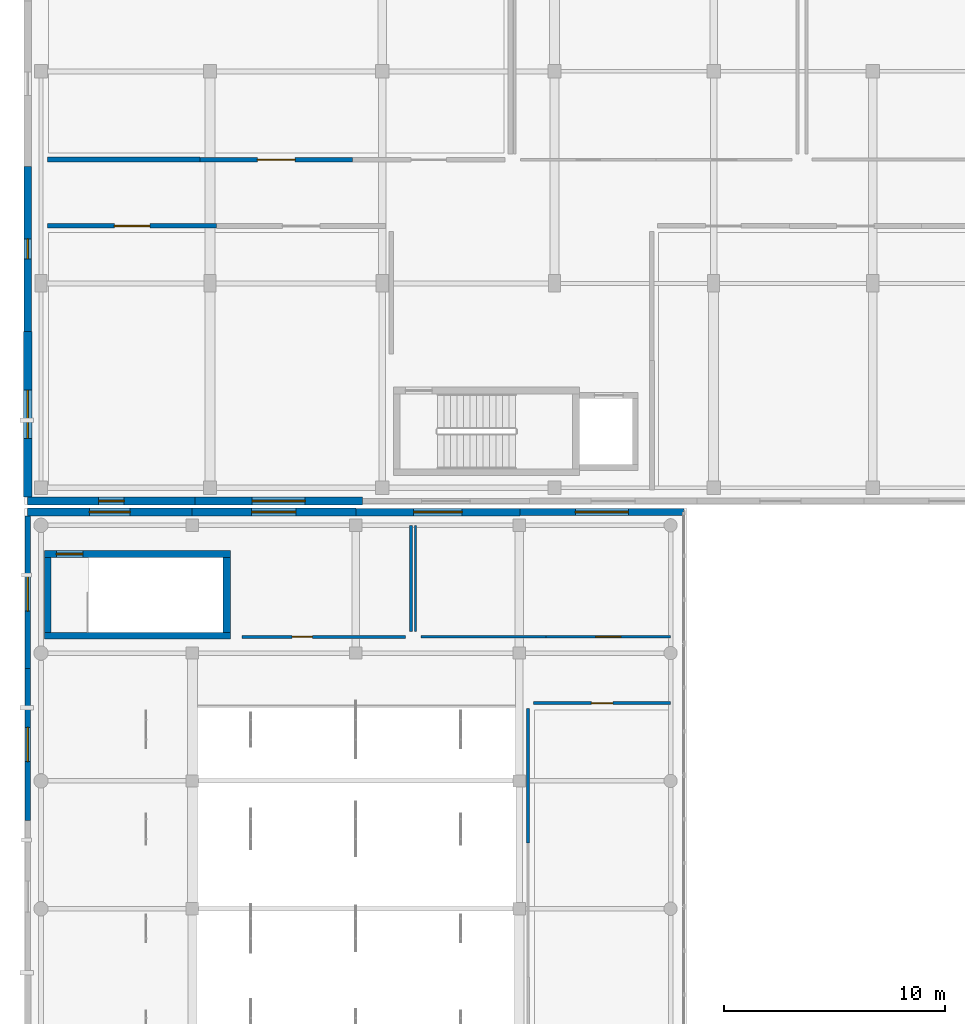
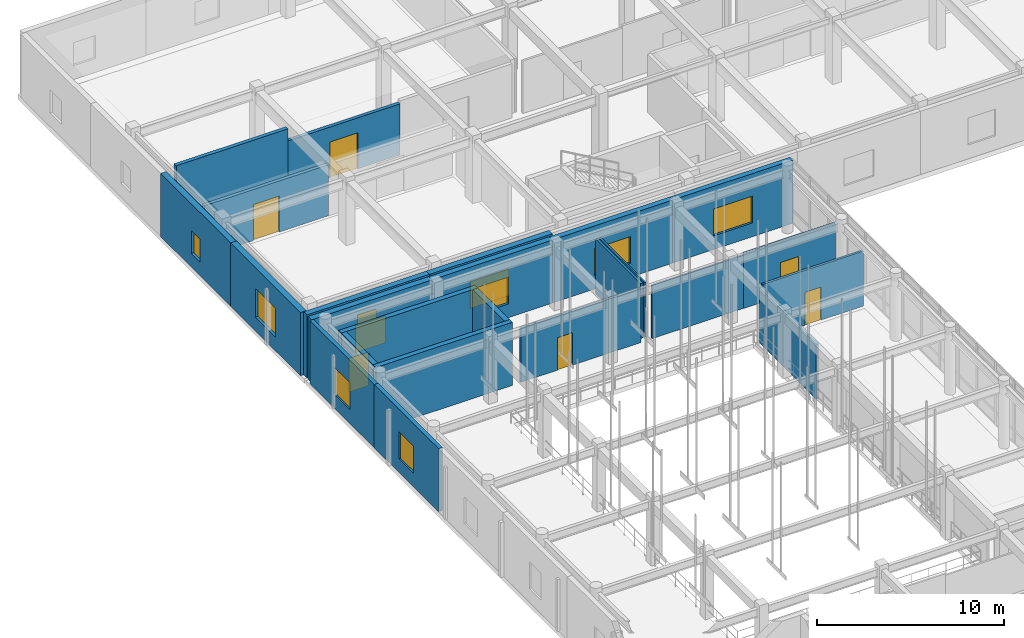
# One storey, part 122 of 142: 24 walls, 10 windows, 6 doors, 16 openings.
"""IFC4 building model written with IfcOpenShell, lengths in metres."""

from ifc_helpers import new_model, si_unit, direction, frame, frame_2d, origin, place, context, subcontext, project, spatial, rectangle, extrude, material, layer, layer_set, type_object, element, fill, save


model = new_model("IFC4")

# Units and contexts
model_context = context("Model", 3, precision=1e-05, world=origin(), true_north=direction((0.0, 1.0)))
body_context = subcontext(model_context, "Body", "Model", "MODEL_VIEW")
ifc_project = project(units=[si_unit("LENGTHUNIT", "METRE"), si_unit("AREAUNIT", "SQUARE_METRE"), si_unit("VOLUMEUNIT", "CUBIC_METRE"), si_unit("PLANEANGLEUNIT", "RADIAN"), si_unit("MASSUNIT", "GRAM", prefix="KILO")], contexts=[model_context])

# Site, building, storey
site_placement = place(None, origin())
site = spatial("IfcSite", under=ifc_project, at=site_placement, CompositionType="ELEMENT")
building_placement = place(site_placement, origin())
building = spatial("IfcBuilding", under=site, at=building_placement, Name="Valcora Specialist Clinic", CompositionType="ELEMENT")
storey_placement = place(building_placement, frame((0.0, 0.0, 5.10009765625)))
storey = spatial("IfcBuildingStorey", under=building, at=storey_placement, Name="L01", CompositionType="ELEMENT", Elevation=5.10009765625)

# Wall
ifc_material_1 = material(Name="Concrete C40/50", Category="concrete")
ifc_layer_1 = layer(ifc_material_1, 0.300048828125)
ifc_layer_set_1 = layer_set([ifc_layer_1], Name="Concrete C40/50")
wall_type_1 = type_object("IfcWallType", Name="TY-WL-CR300", PredefinedType="SHEAR", material=ifc_layer_set_1)
wall_1_placement = place(storey_placement, frame((0.89990234375, 74.25, 0.0), z_axis=(0.0, 0.0, 1.0), x_axis=(1.0, 0.0, 0.0)))
element("IfcWall", 1, at=wall_1_placement, inside=storey, type_object=wall_type_1, Name="Core shear wall WL-CR-C-V1B-L01-S", PredefinedType="SHEAR", context=body_context, shape_type="SweptSolid", body=[
    extrude(rectangle(XDim=8.420166015625, YDim=0.300048828125, at=frame_2d((4.2099609375, 0.0))), origin(), (0.0, 0.0, 1.0), 4.119873046875),
])

# Wall, opening, door
wall_2_placement = place(storey_placement, frame((0.89990234375, 77.949951171875, 0.0), z_axis=(0.0, 0.0, 1.0), x_axis=(1.0, 0.0, 0.0)))
wall_2 = element("IfcWall", 2, at=wall_2_placement, inside=storey, type_object=wall_type_1, Name="Core shear wall WL-CR-C-V1B-L01-N", PredefinedType="SHEAR", context=body_context, shape_type="SweptSolid", body=[
    extrude(rectangle(XDim=8.420166015625, YDim=0.300048828125, at=frame_2d((4.2099609375, 0.0))), origin(), (0.0, 0.0, 1.0), 4.119873046875),
])
opening_1_placement = place(wall_2_placement, frame((0.550048828125, 0.0, 0.0)))
opening_1 = element("IfcOpeningElement", 3, at=opening_1_placement, cuts=wall_2, Name="Opening DR-FD-120", PredefinedType="OPENING", context=body_context, shape_type="SweptSolid", body=[
    extrude(rectangle(XDim=1.199951171875, YDim=2.199951171875, at=frame_2d((0.60009765625, 1.10009765625))), frame((0.0, 0.159912109375, 0.0), z_axis=(0.0, -1.0, 0.0), x_axis=(1.0, 0.0, 0.0)), (0.0, 0.0, 1.0), 0.320068359375),
])
ifc_material_2 = material(Name="Galvanized Hollow Metal Door Steel ASTM A653", Category="steel")
door_type_1 = type_object("IfcDoorType", Name="TY-DR-ST120", OperationType="NOTDEFINED", PredefinedType="DOOR", material=ifc_material_2)
door_1_placement = place(opening_1_placement, origin())
door_1 = element("IfcDoor", 4, at=door_1_placement, inside=storey, type_object=door_type_1, Name="Exit stair fire door C-V1B L01", OperationType="SINGLE_SWING_RIGHT", OverallHeight=2.199951171875, OverallWidth=1.199951171875, PredefinedType="DOOR", context=body_context, shape_type="SweptSolid", body=[
    extrude(rectangle(XDim=1.199951171875, YDim=2.199951171875, at=frame_2d((0.60009765625, 1.10009765625))), frame((0.0, 0.02490234375, 0.0), z_axis=(0.0, -1.0, 0.0), x_axis=(1.0, 0.0, 0.0)), (0.0, 0.0, 1.0), 0.050048828125),
])
fill(opening_1, door_1)

# Walls
wall_3_placement = place(storey_placement, frame((1.050048828125, 74.402099609375, 0.0), z_axis=(0.0, 0.0, 1.0), x_axis=(0.0, 1.0, 0.0)))
element("IfcWall", 5, at=wall_3_placement, inside=storey, type_object=wall_type_1, Name="Core shear wall WL-CR-C-V1B-L01-W", PredefinedType="SHEAR", context=body_context, shape_type="SweptSolid", body=[
    extrude(rectangle(XDim=3.39599609375, YDim=0.300048828125, at=frame_2d((1.697998046875, 0.0))), origin(), (0.0, 0.0, 1.0), 4.119873046875),
])
ifc_layer_2 = layer(ifc_material_1, 0.320068359375)
ifc_layer_set_2 = layer_set([ifc_layer_2], Name="Concrete C40/50")
wall_type_2 = type_object("IfcWallType", Name="TY-WL-CR320", PredefinedType="SHEAR", material=ifc_layer_set_2)
wall_4_placement = place(storey_placement, frame((9.159912109375, 74.402099609375, 0.0), z_axis=(0.0, 0.0, 1.0), x_axis=(0.0, 1.0, 0.0)))
element("IfcWall", 6, at=wall_4_placement, inside=storey, type_object=wall_type_2, Name="Core shear wall WL-CR-C-V1B-L01-E", PredefinedType="SHEAR", context=body_context, shape_type="SweptSolid", body=[
    extrude(rectangle(XDim=3.39599609375, YDim=0.320068359375, at=frame_2d((1.697998046875, 0.0))), origin(), (0.0, 0.0, 1.0), 4.119873046875),
])

# Wall, opening, window
ifc_material_3 = material(Name="Extruded Jalisco Clay Brick Masonry", Category="masonry")
ifc_layer_3 = layer(ifc_material_3, 0.235107421875)
ifc_layer_set_3 = layer_set([ifc_layer_3], Name="Extruded Jalisco Clay Brick Masonry")
wall_type_3 = type_object("IfcWallType", Name="TY-WL-EW235", PredefinedType="SOLIDWALL", material=ifc_layer_set_3)
wall_5_placement = place(storey_placement, frame((0.14990234375, 72.773193359375, 0.0), z_axis=(0.0, 0.0, 1.0), x_axis=(0.0, 1.0, 0.0)))
wall_5 = element("IfcWall", 7, at=wall_5_placement, inside=storey, type_object=wall_type_3, Name="Exterior wall WL-EXT-L01-0030", PredefinedType="SOLIDWALL", context=body_context, shape_type="SweptSolid", body=[
    extrude(rectangle(XDim=6.88671875, YDim=0.235107421875, at=frame_2d((3.443359375, 0.0))), origin(), (0.0, 0.0, 1.0), 4.119873046875),
])
opening_2_placement = place(wall_5_placement, frame((2.593017578125, 0.0, 0.89990234375)))
opening_2 = element("IfcOpeningElement", 8, at=opening_2_placement, cuts=wall_5, Name="Opening WN-16", PredefinedType="OPENING", context=body_context, shape_type="SweptSolid", body=[
    extrude(rectangle(XDim=1.699951171875, YDim=1.75, at=frame_2d((0.85009765625, 0.875))), frame((0.0, 0.12744140625, 0.0), z_axis=(0.0, -1.0, 0.0), x_axis=(1.0, 0.0, 0.0)), (0.0, 0.0, 1.0), 0.255126953125),
])
ifc_material_4 = material(Name="Low-E Laminated Insulating Glass", Category="glass")
window_type_1 = type_object("IfcWindowType", Name="TY-WN-16", PartitioningType="SINGLE_PANEL", PredefinedType="WINDOW", material=ifc_material_4)
window_1_placement = place(opening_2_placement, origin())
window_1 = element("IfcWindow", 9, at=window_1_placement, inside=storey, type_object=window_type_1, Name="Facade window WN-L01-0016", OverallHeight=1.75, OverallWidth=1.699951171875, PartitioningType="SINGLE_PANEL", PredefinedType="WINDOW", context=body_context, shape_type="SweptSolid", body=[
    extrude(rectangle(XDim=1.699951171875, YDim=1.75, at=frame_2d((0.85009765625, 0.875))), frame((0.0, 0.030029296875, 0.0), z_axis=(0.0, -1.0, 0.0), x_axis=(1.0, 0.0, 0.0)), (0.0, 0.0, 1.0), 0.06005859375),
])
fill(opening_2, window_1)

ifc_layer_4 = layer(ifc_material_3, 0.25)
ifc_layer_set_4 = layer_set([ifc_layer_4], Name="Extruded Jalisco Clay Brick Masonry")
wall_type_4 = type_object("IfcWallType", Name="TY-WL-EW250", PredefinedType="SOLIDWALL", material=ifc_layer_set_4)
wall_6_placement = place(storey_placement, frame((0.14990234375, 65.88671875, 0.0), z_axis=(0.0, 0.0, 1.0), x_axis=(0.0, 1.0, 0.0)))
wall_6 = element("IfcWall", 10, at=wall_6_placement, inside=storey, type_object=wall_type_4, Name="Exterior wall WL-EXT-L01-0029", PredefinedType="SOLIDWALL", context=body_context, shape_type="SweptSolid", body=[
    extrude(rectangle(XDim=6.886474609375, YDim=0.25, at=frame_2d((3.443359375, 0.0))), origin(), (0.0, 0.0, 1.0), 4.119873046875),
])
opening_3_placement = place(wall_6_placement, frame((2.66796875, 0.0, 0.89990234375)))
opening_3 = element("IfcOpeningElement", 11, at=opening_3_placement, cuts=wall_6, Name="Opening WN-15", PredefinedType="OPENING", context=body_context, shape_type="SweptSolid", body=[
    extrude(rectangle(XDim=1.550048828125, YDim=1.75, at=frame_2d((0.77490234375, 0.875))), frame((0.0, 0.135009765625, 0.0), z_axis=(0.0, -1.0, 0.0), x_axis=(1.0, 0.0, 0.0)), (0.0, 0.0, 1.0), 0.27001953125),
])
window_type_2 = type_object("IfcWindowType", Name="TY-WN-15", PartitioningType="SINGLE_PANEL", PredefinedType="WINDOW", material=ifc_material_4)
window_2_placement = place(opening_3_placement, origin())
window_2 = element("IfcWindow", 12, at=window_2_placement, inside=storey, type_object=window_type_2, Name="Facade window WN-L01-0015", OverallHeight=1.75, OverallWidth=1.550048828125, PartitioningType="SINGLE_PANEL", PredefinedType="WINDOW", context=body_context, shape_type="SweptSolid", body=[
    extrude(rectangle(XDim=1.550048828125, YDim=1.75, at=frame_2d((0.77490234375, 0.875))), frame((0.0, 0.030029296875, 0.0), z_axis=(0.0, -1.0, 0.0), x_axis=(1.0, 0.0, 0.0)), (0.0, 0.0, 1.0), 0.06005859375),
])
fill(opening_3, window_2)

ifc_layer_5 = layer(ifc_material_3, 0.324951171875)
ifc_layer_set_5 = layer_set([ifc_layer_5], Name="Extruded Jalisco Clay Brick Masonry")
wall_type_5 = type_object("IfcWallType", Name="TY-WL-EW325", PredefinedType="SOLIDWALL", material=ifc_layer_set_5)
wall_7_placement = place(storey_placement, frame((22.425048828125, 79.85009765625, 0.0), z_axis=(0.0, 0.0, 1.0), x_axis=(1.0, 0.0, 0.0)))
wall_7 = element("IfcWall", 13, at=wall_7_placement, inside=storey, type_object=wall_type_5, Name="Exterior wall WL-EXT-L01-0034", PredefinedType="SOLIDWALL", context=body_context, shape_type="SweptSolid", body=[
    extrude(rectangle(XDim=7.425048828125, YDim=0.324951171875, at=frame_2d((3.71240234375, 0.0))), origin(), (0.0, 0.0, 1.0), 4.119873046875),
])
opening_4_placement = place(wall_7_placement, frame((2.512939453125, 0.0, 0.89990234375)))
opening_4 = element("IfcOpeningElement", 14, at=opening_4_placement, cuts=wall_7, Name="Opening WN-20", PredefinedType="OPENING", context=body_context, shape_type="SweptSolid", body=[
    extrude(rectangle(XDim=2.39990234375, YDim=1.75, at=frame_2d((1.199951171875, 0.875))), frame((0.0, 0.17236328125, 0.0), z_axis=(0.0, -1.0, 0.0), x_axis=(1.0, 0.0, 0.0)), (0.0, 0.0, 1.0), 0.344970703125),
])
window_type_3 = type_object("IfcWindowType", Name="TY-WN-20", PartitioningType="SINGLE_PANEL", PredefinedType="WINDOW", material=ifc_material_4)
window_3_placement = place(opening_4_placement, origin())
window_3 = element("IfcWindow", 15, at=window_3_placement, inside=storey, type_object=window_type_3, Name="Facade window WN-L01-0020", OverallHeight=1.75, OverallWidth=2.39990234375, PartitioningType="SINGLE_PANEL", PredefinedType="WINDOW", context=body_context, shape_type="SweptSolid", body=[
    extrude(rectangle(XDim=2.39990234375, YDim=1.75, at=frame_2d((1.199951171875, 0.875))), frame((0.0, 0.030029296875, 0.0), z_axis=(0.0, -1.0, 0.0), x_axis=(1.0, 0.0, 0.0)), (0.0, 0.0, 1.0), 0.06005859375),
])
fill(opening_4, window_3)

ifc_layer_6 = layer(ifc_material_3, 0.340087890625)
ifc_layer_set_6 = layer_set([ifc_layer_6], Name="Extruded Jalisco Clay Brick Masonry")
wall_type_6 = type_object("IfcWallType", Name="TY-WL-EW340", PredefinedType="SOLIDWALL", material=ifc_layer_set_6)
wall_8_placement = place(storey_placement, frame((15.0, 79.85009765625, 0.0), z_axis=(0.0, 0.0, 1.0), x_axis=(1.0, 0.0, 0.0)))
wall_8 = element("IfcWall", 16, at=wall_8_placement, inside=storey, type_object=wall_type_6, Name="Exterior wall WL-EXT-L01-0033", PredefinedType="SOLIDWALL", context=body_context, shape_type="SweptSolid", body=[
    extrude(rectangle(XDim=7.425048828125, YDim=0.340087890625, at=frame_2d((3.71240234375, 0.0))), origin(), (0.0, 0.0, 1.0), 4.119873046875),
])
opening_5_placement = place(wall_8_placement, frame((2.613037109375, 0.0, 0.89990234375)))
opening_5 = element("IfcOpeningElement", 17, at=opening_5_placement, cuts=wall_8, Name="Opening WN-19", PredefinedType="OPENING", context=body_context, shape_type="SweptSolid", body=[
    extrude(rectangle(XDim=2.199951171875, YDim=1.75, at=frame_2d((1.10009765625, 0.875))), frame((0.0, 0.179931640625, 0.0), z_axis=(0.0, -1.0, 0.0), x_axis=(1.0, 0.0, 0.0)), (0.0, 0.0, 1.0), 0.360107421875),
])
window_type_4 = type_object("IfcWindowType", Name="TY-WN-19", PartitioningType="SINGLE_PANEL", PredefinedType="WINDOW", material=ifc_material_4)
window_4_placement = place(opening_5_placement, origin())
window_4 = element("IfcWindow", 18, at=window_4_placement, inside=storey, type_object=window_type_4, Name="Facade window WN-L01-0019", OverallHeight=1.75, OverallWidth=2.199951171875, PartitioningType="SINGLE_PANEL", PredefinedType="WINDOW", context=body_context, shape_type="SweptSolid", body=[
    extrude(rectangle(XDim=2.199951171875, YDim=1.75, at=frame_2d((1.10009765625, 0.875))), frame((0.0, 0.030029296875, 0.0), z_axis=(0.0, -1.0, 0.0), x_axis=(1.0, 0.0, 0.0)), (0.0, 0.0, 1.0), 0.06005859375),
])
fill(opening_5, window_4)

ifc_layer_7 = layer(ifc_material_3, 0.35498046875)
ifc_layer_set_7 = layer_set([ifc_layer_7], Name="Extruded Jalisco Clay Brick Masonry")
wall_type_7 = type_object("IfcWallType", Name="TY-WL-EW355", PredefinedType="SOLIDWALL", material=ifc_layer_set_7)
wall_9_placement = place(storey_placement, frame((7.574951171875, 79.85009765625, 0.0), z_axis=(0.0, 0.0, 1.0), x_axis=(1.0, 0.0, 0.0)))
wall_9 = element("IfcWall", 19, at=wall_9_placement, inside=storey, type_object=wall_type_7, Name="Exterior wall WL-EXT-L01-0032", PredefinedType="SOLIDWALL", context=body_context, shape_type="SweptSolid", body=[
    extrude(rectangle(XDim=7.425048828125, YDim=0.35498046875, at=frame_2d((3.71240234375, 0.0))), origin(), (0.0, 0.0, 1.0), 4.119873046875),
])
opening_6_placement = place(wall_9_placement, frame((2.7119140625, 0.0, 0.89990234375)))
opening_6 = element("IfcOpeningElement", 20, at=opening_6_placement, cuts=wall_9, Name="Opening WN-18", PredefinedType="OPENING", context=body_context, shape_type="SweptSolid", body=[
    extrude(rectangle(XDim=2.0, YDim=1.75, at=frame_2d((1.0, 0.875))), frame((0.0, 0.1875, 0.0), z_axis=(0.0, -1.0, 0.0), x_axis=(1.0, 0.0, 0.0)), (0.0, 0.0, 1.0), 0.375),
])
window_type_5 = type_object("IfcWindowType", Name="TY-WN-18", PartitioningType="SINGLE_PANEL", PredefinedType="WINDOW", material=ifc_material_4)
window_5_placement = place(opening_6_placement, origin())
window_5 = element("IfcWindow", 21, at=window_5_placement, inside=storey, type_object=window_type_5, Name="Facade window WN-L01-0018", OverallHeight=1.75, OverallWidth=2.0, PartitioningType="SINGLE_PANEL", PredefinedType="WINDOW", context=body_context, shape_type="SweptSolid", body=[
    extrude(rectangle(XDim=2.0, YDim=1.75, at=frame_2d((1.0, 0.875))), frame((0.0, 0.030029296875, 0.0), z_axis=(0.0, -1.0, 0.0), x_axis=(1.0, 0.0, 0.0)), (0.0, 0.0, 1.0), 0.06005859375),
])
fill(opening_6, window_5)

wall_10_placement = place(storey_placement, frame((0.14990234375, 88.02001953125, 0.0), z_axis=(0.0, 0.0, 1.0), x_axis=(0.0, 1.0, 0.0)))
wall_10 = element("IfcWall", 22, at=wall_10_placement, inside=storey, type_object=wall_type_7, Name="Exterior wall WL-EXT-L01-0062", PredefinedType="SOLIDWALL", context=body_context, shape_type="SweptSolid", body=[
    extrude(rectangle(XDim=7.47998046875, YDim=0.35498046875, at=frame_2d((3.739990234375, 0.0))), origin(), (0.0, 0.0, 1.0), 4.1298828125),
])
opening_7_placement = place(wall_10_placement, frame((3.2900390625, 0.0, 0.89990234375)))
opening_7 = element("IfcOpeningElement", 23, at=opening_7_placement, cuts=wall_10, Name="Opening WN-01", PredefinedType="OPENING", context=body_context, shape_type="SweptSolid", body=[
    extrude(rectangle(XDim=0.89990234375, YDim=1.5, at=frame_2d((0.449951171875, 0.75))), frame((0.0, 0.1875, 0.0), z_axis=(0.0, -1.0, 0.0), x_axis=(1.0, 0.0, 0.0)), (0.0, 0.0, 1.0), 0.375),
])
window_type_6 = type_object("IfcWindowType", Name="TY-WN-01", PartitioningType="SINGLE_PANEL", PredefinedType="WINDOW", material=ifc_material_4)
window_6_placement = place(opening_7_placement, origin())
window_6 = element("IfcWindow", 24, at=window_6_placement, inside=storey, type_object=window_type_6, Name="Facade window WN-L01-0043", OverallHeight=1.5, OverallWidth=0.89990234375, PartitioningType="SINGLE_PANEL", PredefinedType="WINDOW", context=body_context, shape_type="SweptSolid", body=[
    extrude(rectangle(XDim=0.89990234375, YDim=1.5, at=frame_2d((0.449951171875, 0.75))), frame((0.0, 0.030029296875, 0.0), z_axis=(0.0, -1.0, 0.0), x_axis=(1.0, 0.0, 0.0)), (0.0, 0.0, 1.0), 0.06005859375),
])
fill(opening_7, window_6)

wall_11_placement = place(storey_placement, frame((7.721435546875, 80.35009765625, 0.0), z_axis=(0.0, 0.0, 1.0), x_axis=(-1.0, 0.0, 0.0)))
wall_11 = element("IfcWall", 25, at=wall_11_placement, inside=storey, type_object=wall_type_7, Name="Exterior wall WL-EXT-L01-0082", PredefinedType="SOLIDWALL", context=body_context, shape_type="SweptSolid", body=[
    extrude(rectangle(XDim=7.571533203125, YDim=0.35498046875, at=frame_2d((3.78564453125, 0.0))), origin(), (0.0, 0.0, 1.0), 4.1298828125),
])
opening_8_placement = place(wall_11_placement, frame((3.2109375, 0.0, 0.89990234375)))
opening_8 = element("IfcOpeningElement", 26, at=opening_8_placement, cuts=wall_11, Name="Opening WN-21", PredefinedType="OPENING", context=body_context, shape_type="SweptSolid", body=[
    extrude(rectangle(XDim=1.14990234375, YDim=2.0, at=frame_2d((0.574951171875, 1.0))), frame((0.0, 0.1875, 0.0), z_axis=(0.0, -1.0, 0.0), x_axis=(1.0, 0.0, 0.0)), (0.0, 0.0, 1.0), 0.375),
])
window_type_7 = type_object("IfcWindowType", Name="TY-WN-21", PartitioningType="SINGLE_PANEL", PredefinedType="WINDOW", material=ifc_material_4)
window_7_placement = place(opening_8_placement, origin())
window_7 = element("IfcWindow", 27, at=window_7_placement, inside=storey, type_object=window_type_7, Name="Facade window WN-L01-0063", OverallHeight=2.0, OverallWidth=1.14990234375, PartitioningType="SINGLE_PANEL", PredefinedType="WINDOW", context=body_context, shape_type="SweptSolid", body=[
    extrude(rectangle(XDim=1.14990234375, YDim=2.0, at=frame_2d((0.574951171875, 1.0))), frame((0.0, 0.030029296875, 0.0), z_axis=(0.0, -1.0, 0.0), x_axis=(1.0, 0.0, 0.0)), (0.0, 0.0, 1.0), 0.06005859375),
])
fill(opening_8, window_7)

ifc_layer_8 = layer(ifc_material_3, 0.3701171875)
ifc_layer_set_8 = layer_set([ifc_layer_8], Name="Extruded Jalisco Clay Brick Masonry")
wall_type_8 = type_object("IfcWallType", Name="TY-WL-EW370", PredefinedType="SOLIDWALL", material=ifc_layer_set_8)
wall_12_placement = place(storey_placement, frame((0.14990234375, 79.85009765625, 0.0), z_axis=(0.0, 0.0, 1.0), x_axis=(1.0, 0.0, 0.0)))
wall_12 = element("IfcWall", 28, at=wall_12_placement, inside=storey, type_object=wall_type_8, Name="Exterior wall WL-EXT-L01-0031", PredefinedType="SOLIDWALL", context=body_context, shape_type="SweptSolid", body=[
    extrude(rectangle(XDim=7.425048828125, YDim=0.3701171875, at=frame_2d((3.71240234375, 0.0))), origin(), (0.0, 0.0, 1.0), 4.119873046875),
])
opening_9_placement = place(wall_12_placement, frame((2.787109375, 0.0, 0.89990234375)))
opening_9 = element("IfcOpeningElement", 29, at=opening_9_placement, cuts=wall_12, Name="Opening WN-17", PredefinedType="OPENING", context=body_context, shape_type="SweptSolid", body=[
    extrude(rectangle(XDim=1.85009765625, YDim=1.75, at=frame_2d((0.925048828125, 0.875))), frame((0.0, 0.195068359375, 0.0), z_axis=(0.0, -1.0, 0.0), x_axis=(1.0, 0.0, 0.0)), (0.0, 0.0, 1.0), 0.39013671875),
])
window_type_8 = type_object("IfcWindowType", Name="TY-WN-17", PartitioningType="SINGLE_PANEL", PredefinedType="WINDOW", material=ifc_material_4)
window_8_placement = place(opening_9_placement, origin())
window_8 = element("IfcWindow", 30, at=window_8_placement, inside=storey, type_object=window_type_8, Name="Facade window WN-L01-0017", OverallHeight=1.75, OverallWidth=1.85009765625, PartitioningType="SINGLE_PANEL", PredefinedType="WINDOW", context=body_context, shape_type="SweptSolid", body=[
    extrude(rectangle(XDim=1.85009765625, YDim=1.75, at=frame_2d((0.925048828125, 0.875))), frame((0.0, 0.030029296875, 0.0), z_axis=(0.0, -1.0, 0.0), x_axis=(1.0, 0.0, 0.0)), (0.0, 0.0, 1.0), 0.06005859375),
])
fill(opening_9, window_8)

wall_13_placement = place(storey_placement, frame((0.14990234375, 80.5400390625, 0.0), z_axis=(0.0, 0.0, 1.0), x_axis=(0.0, 1.0, 0.0)))
wall_13 = element("IfcWall", 31, at=wall_13_placement, inside=storey, type_object=wall_type_8, Name="Exterior wall WL-EXT-L01-0061", PredefinedType="SOLIDWALL", context=body_context, shape_type="SweptSolid", body=[
    extrude(rectangle(XDim=7.47998046875, YDim=0.3701171875, at=frame_2d((3.739990234375, 0.0))), origin(), (0.0, 0.0, 1.0), 4.1298828125),
])
opening_10_placement = place(wall_13_placement, frame((2.64990234375, 0.0, 0.89990234375)))
opening_10 = element("IfcOpeningElement", 32, at=opening_10_placement, cuts=wall_13, Name="Opening WN-42", PredefinedType="OPENING", context=body_context, shape_type="SweptSolid", body=[
    extrude(rectangle(XDim=2.179931640625, YDim=1.8798828125, at=frame_2d((1.08984375, 0.93994140625))), frame((0.0, 0.195068359375, 0.0), z_axis=(0.0, -1.0, 0.0), x_axis=(1.0, 0.0, 0.0)), (0.0, 0.0, 1.0), 0.39013671875),
])
window_type_9 = type_object("IfcWindowType", Name="TY-WN-42", PartitioningType="SINGLE_PANEL", PredefinedType="WINDOW", material=ifc_material_4)
window_9_placement = place(opening_10_placement, origin())
window_9 = element("IfcWindow", 33, at=window_9_placement, inside=storey, type_object=window_type_9, Name="Facade window WN-L01-0042", OverallHeight=1.8798828125, OverallWidth=2.179931640625, PartitioningType="SINGLE_PANEL", PredefinedType="WINDOW", context=body_context, shape_type="SweptSolid", body=[
    extrude(rectangle(XDim=2.179931640625, YDim=1.8798828125, at=frame_2d((1.08984375, 0.93994140625))), frame((0.0, 0.030029296875, 0.0), z_axis=(0.0, -1.0, 0.0), x_axis=(1.0, 0.0, 0.0)), (0.0, 0.0, 1.0), 0.06005859375),
])
fill(opening_10, window_9)

wall_14_placement = place(storey_placement, frame((15.29296875, 80.35009765625, 0.0), z_axis=(0.0, 0.0, 1.0), x_axis=(-1.0, 0.0, 0.0)))
wall_14 = element("IfcWall", 34, at=wall_14_placement, inside=storey, type_object=wall_type_8, Name="Exterior wall WL-EXT-L01-0081", PredefinedType="SOLIDWALL", context=body_context, shape_type="SweptSolid", body=[
    extrude(rectangle(XDim=7.571533203125, YDim=0.3701171875, at=frame_2d((3.78564453125, 0.0))), origin(), (0.0, 0.0, 1.0), 4.1298828125),
])
opening_11_placement = place(wall_14_placement, frame((2.5859375, 0.0, 0.89990234375)))
opening_11 = element("IfcOpeningElement", 35, at=opening_11_placement, cuts=wall_14, Name="Opening WN-20", PredefinedType="OPENING", context=body_context, shape_type="SweptSolid", body=[
    extrude(rectangle(XDim=2.39990234375, YDim=1.75, at=frame_2d((1.199951171875, 0.875))), frame((0.0, 0.195068359375, 0.0), z_axis=(0.0, -1.0, 0.0), x_axis=(1.0, 0.0, 0.0)), (0.0, 0.0, 1.0), 0.39013671875),
])
window_10_placement = place(opening_11_placement, origin())
window_10 = element("IfcWindow", 36, at=window_10_placement, inside=storey, type_object=window_type_3, Name="Facade window WN-L01-0062", OverallHeight=1.75, OverallWidth=2.39990234375, PartitioningType="SINGLE_PANEL", PredefinedType="WINDOW", context=body_context, shape_type="SweptSolid", body=[
    extrude(rectangle(XDim=2.39990234375, YDim=1.75, at=frame_2d((1.199951171875, 0.875))), frame((0.0, 0.030029296875, 0.0), z_axis=(0.0, -1.0, 0.0), x_axis=(1.0, 0.0, 0.0)), (0.0, 0.0, 1.0), 0.06005859375),
])
fill(opening_11, window_10)

# Walls
ifc_material_5 = material(Name="Gypsum Board Partition Assembly")
ifc_layer_9 = layer(ifc_material_5, 0.10498046875)
ifc_layer_set_9 = layer_set([ifc_layer_9], Name="Gypsum Board Partition Assembly")
wall_type_9 = type_object("IfcWallType", Name="TY-WL-PT105", PredefinedType="PARTITIONING", material=ifc_layer_set_9)
wall_15_placement = place(storey_placement, frame((17.699951171875, 74.449951171875, 0.0), z_axis=(0.0, 0.0, 1.0), x_axis=(0.0, 1.0, 0.0)))
element("IfcWall", 37, at=wall_15_placement, inside=storey, type_object=wall_type_9, Name="Interior partition WL-INT-L01-0166", PredefinedType="PARTITIONING", context=body_context, shape_type="SweptSolid", body=[
    extrude(rectangle(XDim=4.800048828125, YDim=0.10498046875, at=frame_2d((2.39990234375, 0.0))), origin(), (0.0, 0.0, 1.0), 3.5830078125),
])
ifc_layer_10 = layer(ifc_material_5, 0.114990234375)
ifc_layer_set_10 = layer_set([ifc_layer_10], Name="Gypsum Board Partition Assembly")
wall_type_10 = type_object("IfcWallType", Name="TY-WL-PT115", PredefinedType="PARTITIONING", material=ifc_layer_set_10)
wall_16_placement = place(storey_placement, frame((23.60009765625, 74.199951171875, 0.0), z_axis=(0.0, 0.0, 1.0), x_axis=(-1.0, 0.0, 0.0)))
element("IfcWall", 38, at=wall_16_placement, inside=storey, type_object=wall_type_10, Name="Interior partition WL-INT-L01-0165", PredefinedType="PARTITIONING", context=body_context, shape_type="SweptSolid", body=[
    extrude(rectangle(XDim=5.650146484375, YDim=0.114990234375, at=frame_2d((2.8251953125, 0.0))), origin(), (0.0, 0.0, 1.0), 3.469970703125),
])

# Wall, opening, door
ifc_layer_11 = layer(ifc_material_5, 0.125)
ifc_layer_set_11 = layer_set([ifc_layer_11], Name="Gypsum Board Partition Assembly")
wall_type_11 = type_object("IfcWallType", Name="TY-WL-PT125", PredefinedType="PARTITIONING", material=ifc_layer_set_11)
wall_17_placement = place(storey_placement, frame((29.25, 74.199951171875, 0.0), z_axis=(0.0, 0.0, 1.0), x_axis=(-1.0, 0.0, 0.0)))
wall_17 = element("IfcWall", 39, at=wall_17_placement, inside=storey, type_object=wall_type_11, Name="Interior partition WL-INT-L01-0164", PredefinedType="PARTITIONING", context=body_context, shape_type="SweptSolid", body=[
    extrude(rectangle(XDim=5.64990234375, YDim=0.125, at=frame_2d((2.824951171875, 0.0))), origin(), (0.0, 0.0, 1.0), 3.5830078125),
])
opening_12_placement = place(wall_17_placement, frame((2.2548828125, 0.0, 0.0)))
opening_12 = element("IfcOpeningElement", 40, at=opening_12_placement, cuts=wall_17, Name="Opening DR-CN-114", PredefinedType="OPENING", context=body_context, shape_type="SweptSolid", body=[
    extrude(rectangle(XDim=1.139892578125, YDim=2.199951171875, at=frame_2d((0.56982421875, 1.10009765625))), frame((0.0, 0.072509765625, 0.0), z_axis=(0.0, -1.0, 0.0), x_axis=(1.0, 0.0, 0.0)), (0.0, 0.0, 1.0), 0.14501953125),
])
ifc_material_6 = material(Name="Glulam Conifer Class 24F", Category="wood")
door_type_2 = type_object("IfcDoorType", Name="TY-DR-CN114", OperationType="NOTDEFINED", PredefinedType="DOOR", material=ifc_material_6)
door_2_placement = place(opening_12_placement, origin())
door_2 = element("IfcDoor", 41, at=door_2_placement, inside=storey, type_object=door_type_2, Name="Interior door DR-INT-L01-0045", OperationType="SINGLE_SWING_LEFT", OverallHeight=2.199951171875, OverallWidth=1.139892578125, PredefinedType="DOOR", context=body_context, shape_type="SweptSolid", body=[
    extrude(rectangle(XDim=1.139892578125, YDim=2.199951171875, at=frame_2d((0.56982421875, 1.10009765625))), frame((0.0, 0.02490234375, 0.0), z_axis=(0.0, -1.0, 0.0), x_axis=(1.0, 0.0, 0.0)), (0.0, 0.0, 1.0), 0.050048828125),
])
fill(opening_12, door_2)

ifc_layer_12 = layer(ifc_material_5, 0.135009765625)
ifc_layer_set_12 = layer_set([ifc_layer_12], Name="Gypsum Board Partition Assembly")
wall_type_12 = type_object("IfcWallType", Name="TY-WL-PT135", PredefinedType="PARTITIONING", material=ifc_layer_set_12)
wall_18_placement = place(storey_placement, frame((23.050048828125, 71.199951171875, 0.0), z_axis=(0.0, 0.0, 1.0), x_axis=(1.0, 0.0, 0.0)))
wall_18 = element("IfcWall", 42, at=wall_18_placement, inside=storey, type_object=wall_type_12, Name="Interior partition WL-INT-L01-0157", PredefinedType="PARTITIONING", context=body_context, shape_type="SweptSolid", body=[
    extrude(rectangle(XDim=6.199951171875, YDim=0.135009765625, at=frame_2d((3.10009765625, 0.0))), origin(), (0.0, 0.0, 1.0), 3.5830078125),
])
opening_13_placement = place(wall_18_placement, frame((2.610107421875, 0.0, 0.0)))
opening_13 = element("IfcOpeningElement", 43, at=opening_13_placement, cuts=wall_18, Name="Opening DR-CN-098", PredefinedType="OPENING", context=body_context, shape_type="SweptSolid", body=[
    extrude(rectangle(XDim=0.97998046875, YDim=2.14990234375, at=frame_2d((0.489990234375, 1.074951171875))), frame((0.0, 0.077392578125, 0.0), z_axis=(0.0, -1.0, 0.0), x_axis=(1.0, 0.0, 0.0)), (0.0, 0.0, 1.0), 0.155029296875),
])
door_type_3 = type_object("IfcDoorType", Name="TY-DR-CN098", OperationType="NOTDEFINED", PredefinedType="DOOR", material=ifc_material_6)
door_3_placement = place(opening_13_placement, origin())
door_3 = element("IfcDoor", 44, at=door_3_placement, inside=storey, type_object=door_type_3, Name="Interior door DR-INT-L01-0042", OperationType="SINGLE_SWING_RIGHT", OverallHeight=2.14990234375, OverallWidth=0.97998046875, PredefinedType="DOOR", context=body_context, shape_type="SweptSolid", body=[
    extrude(rectangle(XDim=0.97998046875, YDim=2.14990234375, at=frame_2d((0.489990234375, 1.074951171875))), frame((0.0, 0.02490234375, 0.0), z_axis=(0.0, -1.0, 0.0), x_axis=(1.0, 0.0, 0.0)), (0.0, 0.0, 1.0), 0.050048828125),
])
fill(opening_13, door_3)

wall_19_placement = place(storey_placement, frame((17.25, 74.199951171875, 0.0), z_axis=(0.0, 0.0, 1.0), x_axis=(-1.0, 0.0, 0.0)))
wall_19 = element("IfcWall", 45, at=wall_19_placement, inside=storey, type_object=wall_type_12, Name="Interior partition WL-INT-L01-0163", PredefinedType="PARTITIONING", context=body_context, shape_type="SweptSolid", body=[
    extrude(rectangle(XDim=7.39990234375, YDim=0.135009765625, at=frame_2d((3.699951171875, 0.0))), origin(), (0.0, 0.0, 1.0), 3.52001953125),
])
opening_14_placement = place(wall_19_placement, frame((4.2119140625, 0.0, 0.0)))
opening_14 = element("IfcOpeningElement", 46, at=opening_14_placement, cuts=wall_19, Name="Opening DR-WC-092", PredefinedType="OPENING", context=body_context, shape_type="SweptSolid", body=[
    extrude(rectangle(XDim=0.919921875, YDim=2.1201171875, at=frame_2d((0.4599609375, 1.06005859375))), frame((0.0, 0.077392578125, 0.0), z_axis=(0.0, -1.0, 0.0), x_axis=(1.0, 0.0, 0.0)), (0.0, 0.0, 1.0), 0.155029296875),
])
door_type_4 = type_object("IfcDoorType", Name="TY-DR-WC092", OperationType="NOTDEFINED", PredefinedType="DOOR", material=ifc_material_6)
door_4_placement = place(opening_14_placement, origin())
door_4 = element("IfcDoor", 47, at=door_4_placement, inside=storey, type_object=door_type_4, Name="Interior door DR-INT-L01-0044", OperationType="SINGLE_SWING_RIGHT", OverallHeight=2.1201171875, OverallWidth=0.919921875, PredefinedType="DOOR", context=body_context, shape_type="SweptSolid", body=[
    extrude(rectangle(XDim=0.919921875, YDim=2.1201171875, at=frame_2d((0.4599609375, 1.06005859375))), frame((0.0, 0.02490234375, 0.0), z_axis=(0.0, -1.0, 0.0), x_axis=(1.0, 0.0, 0.0)), (0.0, 0.0, 1.0), 0.050048828125),
])
fill(opening_14, door_4)

# Walls
ifc_layer_13 = layer(ifc_material_5, 0.14501953125)
ifc_layer_set_13 = layer_set([ifc_layer_13], Name="Gypsum Board Partition Assembly")
wall_type_13 = type_object("IfcWallType", Name="TY-WL-PT145", PredefinedType="PARTITIONING", material=ifc_layer_set_13)
wall_20_placement = place(storey_placement, frame((22.800048828125, 64.875, 0.0), z_axis=(0.0, 0.0, 1.0), x_axis=(0.0, 1.0, 0.0)))
element("IfcWall", 48, at=wall_20_placement, inside=storey, type_object=wall_type_13, Name="Interior partition WL-INT-L01-0156", PredefinedType="PARTITIONING", context=body_context, shape_type="SweptSolid", body=[
    extrude(rectangle(XDim=6.074951171875, YDim=0.14501953125, at=frame_2d((3.03759765625, 0.0))), origin(), (0.0, 0.0, 1.0), 3.5830078125),
])
wall_21_placement = place(storey_placement, frame((17.5, 79.25, 0.0), z_axis=(0.0, 0.0, 1.0), x_axis=(0.0, -1.0, 0.0)))
element("IfcWall", 49, at=wall_21_placement, inside=storey, type_object=wall_type_13, Name="Interior partition WL-INT-L01-0162", PredefinedType="PARTITIONING", context=body_context, shape_type="SweptSolid", body=[
    extrude(rectangle(XDim=4.800048828125, YDim=0.14501953125, at=frame_2d((2.39990234375, 0.0))), origin(), (0.0, 0.0, 1.0), 3.5830078125),
])

# Wall, opening, door
ifc_material_7 = material(Name="Lead-Lined Gypsum Partition Assembly")
ifc_layer_14 = layer(ifc_material_7, 0.205078125)
ifc_layer_set_14 = layer_set([ifc_layer_14], Name="Lead-Lined Gypsum Partition Assembly")
wall_type_14 = type_object("IfcWallType", Name="TY-WL-PT205", PredefinedType="PARTITIONING", material=ifc_layer_set_14)
wall_22_placement = place(storey_placement, frame((1.050048828125, 92.800048828125, 0.0), z_axis=(0.0, 0.0, 1.0), x_axis=(1.0, 0.0, 0.0)))
wall_22 = element("IfcWall", 50, at=wall_22_placement, inside=storey, type_object=wall_type_14, Name="Interior partition WL-INT-L01-0167", PredefinedType="PARTITIONING", context=body_context, shape_type="SweptSolid", body=[
    extrude(rectangle(XDim=7.64990234375, YDim=0.205078125, at=frame_2d((3.824951171875, 0.0))), origin(), (0.0, 0.0, 1.0), 3.329833984375),
])
opening_15_placement = place(wall_22_placement, frame((3.02490234375, 0.0, 0.0)))
opening_15 = element("IfcOpeningElement", 51, at=opening_15_placement, cuts=wall_22, Name="Opening DR-IM-160", PredefinedType="OPENING", context=body_context, shape_type="SweptSolid", body=[
    extrude(rectangle(XDim=1.60009765625, YDim=2.35009765625, at=frame_2d((0.800048828125, 1.175048828125))), frame((0.0, 0.112548828125, 0.0), z_axis=(0.0, -1.0, 0.0), x_axis=(1.0, 0.0, 0.0)), (0.0, 0.0, 1.0), 0.22509765625),
])
door_type_5 = type_object("IfcDoorType", Name="TY-DR-IM160", OperationType="NOTDEFINED", PredefinedType="DOOR", material=ifc_material_7)
door_5_placement = place(opening_15_placement, origin())
door_5 = element("IfcDoor", 52, at=door_5_placement, inside=storey, type_object=door_type_5, Name="Interior door DR-INT-L01-0046", OperationType="SINGLE_SWING_RIGHT", OverallHeight=2.35009765625, OverallWidth=1.60009765625, PredefinedType="DOOR", context=body_context, shape_type="SweptSolid", body=[
    extrude(rectangle(XDim=1.60009765625, YDim=2.35009765625, at=frame_2d((0.800048828125, 1.175048828125))), frame((0.0, 0.02490234375, 0.0), z_axis=(0.0, -1.0, 0.0), x_axis=(1.0, 0.0, 0.0)), (0.0, 0.0, 1.0), 0.050048828125),
])
fill(opening_15, door_5)

wall_23_placement = place(storey_placement, frame((14.85009765625, 95.800048828125, 0.0), z_axis=(0.0, 0.0, 1.0), x_axis=(-1.0, 0.0, 0.0)))
wall_23 = element("IfcWall", 53, at=wall_23_placement, inside=storey, type_object=wall_type_14, Name="Interior partition WL-INT-L01-0179", PredefinedType="PARTITIONING", context=body_context, shape_type="SweptSolid", body=[
    extrude(rectangle(XDim=6.900146484375, YDim=0.205078125, at=frame_2d((3.4501953125, 0.0))), origin(), (0.0, 0.0, 1.0), 3.329833984375),
])
opening_16_placement = place(wall_23_placement, frame((2.60009765625, 0.0, 0.0)))
opening_16 = element("IfcOpeningElement", 54, at=opening_16_placement, cuts=wall_23, Name="Opening DR-IM-170", PredefinedType="OPENING", context=body_context, shape_type="SweptSolid", body=[
    extrude(rectangle(XDim=1.699951171875, YDim=2.35009765625, at=frame_2d((0.85009765625, 1.175048828125))), frame((0.0, 0.112548828125, 0.0), z_axis=(0.0, -1.0, 0.0), x_axis=(1.0, 0.0, 0.0)), (0.0, 0.0, 1.0), 0.22509765625),
])
door_type_6 = type_object("IfcDoorType", Name="TY-DR-IM170", OperationType="NOTDEFINED", PredefinedType="DOOR", material=ifc_material_7)
door_6_placement = place(opening_16_placement, origin())
door_6 = element("IfcDoor", 55, at=door_6_placement, inside=storey, type_object=door_type_6, Name="Interior door DR-INT-L01-0051", OperationType="SINGLE_SWING_LEFT", OverallHeight=2.35009765625, OverallWidth=1.699951171875, PredefinedType="DOOR", context=body_context, shape_type="SweptSolid", body=[
    extrude(rectangle(XDim=1.699951171875, YDim=2.35009765625, at=frame_2d((0.85009765625, 1.175048828125))), frame((0.0, 0.02490234375, 0.0), z_axis=(0.0, -1.0, 0.0), x_axis=(1.0, 0.0, 0.0)), (0.0, 0.0, 1.0), 0.050048828125),
])
fill(opening_16, door_6)

# Wall
ifc_layer_15 = layer(ifc_material_7, 0.22998046875)
ifc_layer_set_15 = layer_set([ifc_layer_15], Name="Lead-Lined Gypsum Partition Assembly")
wall_type_15 = type_object("IfcWallType", Name="TY-WL-PT230", PredefinedType="PARTITIONING", material=ifc_layer_set_15)
wall_24_placement = place(storey_placement, frame((7.949951171875, 95.800048828125, 0.0), z_axis=(0.0, 0.0, 1.0), x_axis=(-1.0, 0.0, 0.0)))
element("IfcWall", 56, at=wall_24_placement, inside=storey, type_object=wall_type_15, Name="Interior partition WL-INT-L01-0180", PredefinedType="PARTITIONING", context=body_context, shape_type="SweptSolid", body=[
    extrude(rectangle(XDim=6.89990234375, YDim=0.22998046875, at=frame_2d((3.449951171875, 0.0))), origin(), (0.0, 0.0, 1.0), 4.1298828125),
])

save(model, "model.ifc")
